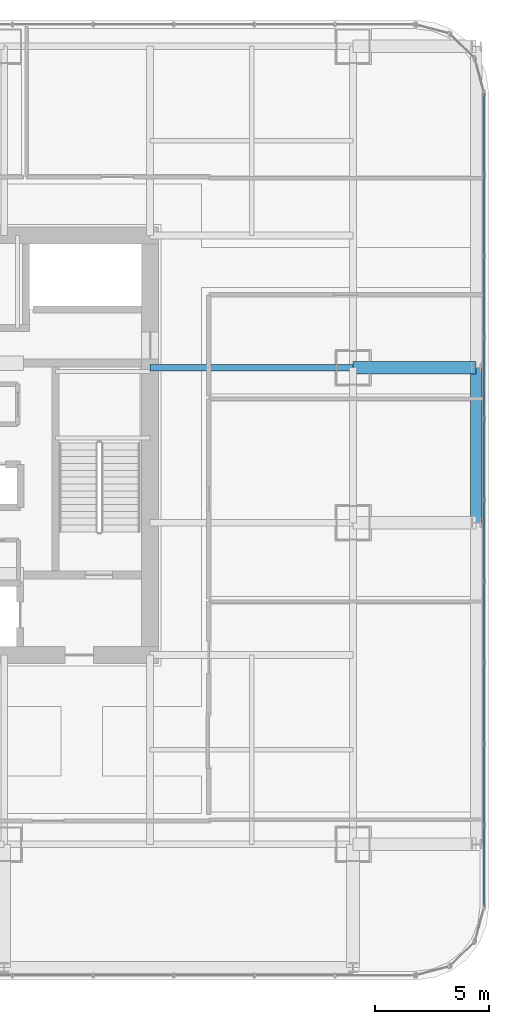
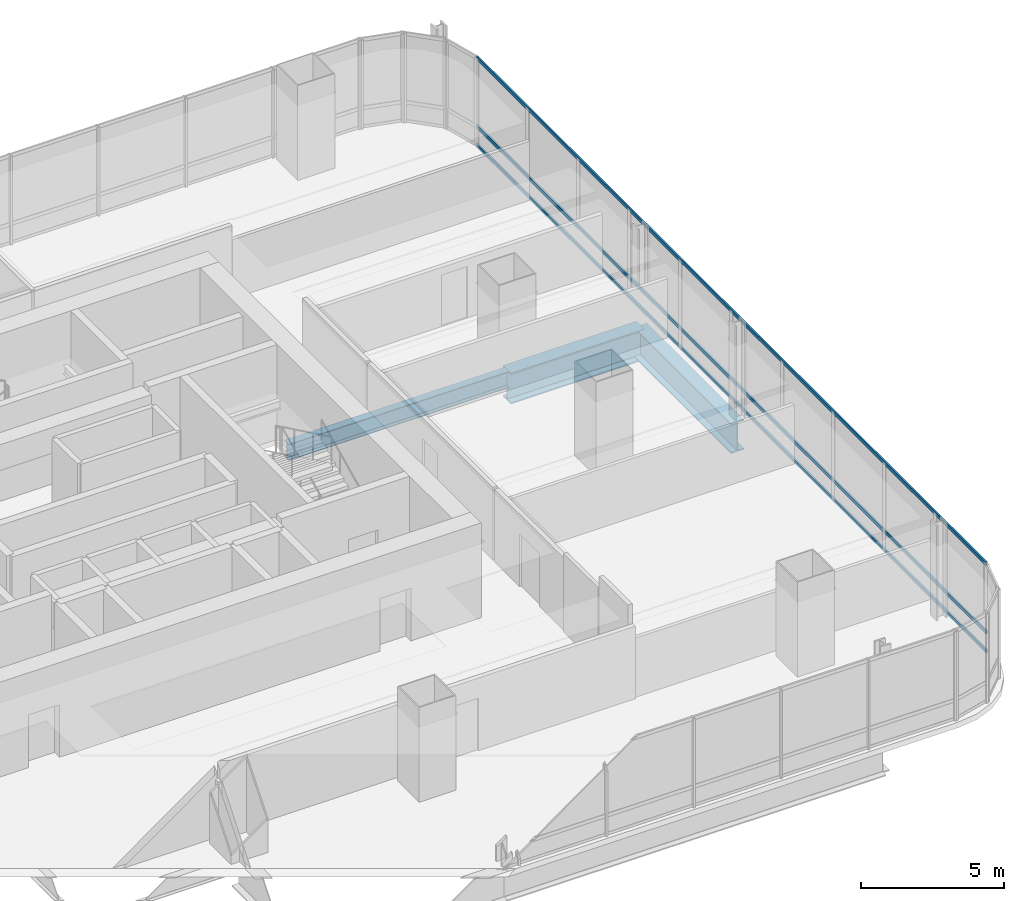
# One storey, part 16 of 35: 3 beams, 3 members, 1 element without a shape of its own.
"""IFC4 building model written with IfcOpenShell, lengths in metres."""

from ifc_helpers import new_model, si_unit, direction, frame, origin, origin_2d, place, context, subcontext, project, spatial, hollow_rectangle, i_section, extrude, material, material_profile, profile_set, type_object, element, aggregate, save


model = new_model("IFC4")

# Units and contexts
model_context = context("Model", 3, precision=1e-05, world=origin(), true_north=direction((0.0, 1.0)))
body_context = subcontext(model_context, "Body", "Model", "MODEL_VIEW")
ifc_project = project(units=[si_unit("LENGTHUNIT", "METRE"), si_unit("AREAUNIT", "SQUARE_METRE"), si_unit("VOLUMEUNIT", "CUBIC_METRE"), si_unit("PLANEANGLEUNIT", "RADIAN"), si_unit("MASSUNIT", "GRAM", prefix="KILO")], contexts=[model_context])

# Site, building, storey
site_placement = place(None, origin())
site = spatial("IfcSite", under=ifc_project, at=site_placement, CompositionType="ELEMENT")
building_placement = place(site_placement, origin())
building = spatial("IfcBuilding", under=site, at=building_placement, Name="Punatoya Terracotta Tower", CompositionType="ELEMENT")
storey_placement = place(building_placement, frame((0.0, 0.0, 64.64990234375)))
storey = spatial("IfcBuildingStorey", under=building, at=storey_placement, Name="L14", CompositionType="ELEMENT", Elevation=64.64990234375)

# Beams
ifc_material_1 = material(Name="Steel S355", Category="steel")
ifc_material_profile_1 = material_profile(ifc_material_1, i_section(OverallWidth=0.300048828125, OverallDepth=0.699951171875, WebThickness=0.01708984375, FlangeThickness=0.031982421875, FilletRadius=0.01806640625, at=origin_2d()))
ifc_profile_set_1 = profile_set([ifc_material_profile_1], Name="Steel S355")
beam_type_1 = type_object("IfcBeamType", Name="BM-PRI-700", PredefinedType="BEAM", material=ifc_profile_set_1)
beam_1_placement = place(storey_placement, frame((10.199951171875, 3.39990234375, -0.58984375), z_axis=(1.0, 0.0, 0.0), x_axis=(0.0, 1.0, 0.0)))
element("IfcBeam", 1, at=beam_1_placement, inside=storey, type_object=beam_type_1, Name="BM-L14-PR-EE", PredefinedType="BEAM", context=body_context, shape_type="SweptSolid", body=[
    extrude(i_section(OverallWidth=0.300048828125, OverallDepth=0.699951171875, WebThickness=0.01708984375, FlangeThickness=0.031982421875, FilletRadius=0.01806640625, at=origin_2d()), origin(), (0.0, 0.0, 1.0), 8.900146484375),
])
ifc_material_2 = material(Name="Steel S460", Category="steel")
ifc_material_profile_2 = material_profile(ifc_material_2, i_section(OverallWidth=0.56005859375, OverallDepth=1.320068359375, WebThickness=0.035888671875, FlangeThickness=0.054931640625, FilletRadius=0.01806640625, at=origin_2d()))
ifc_profile_set_2 = profile_set([ifc_material_profile_2], Name="Steel S460")
beam_type_2 = type_object("IfcBeamType", Name="BM-TG-BLK", PredefinedType="BEAM", material=ifc_profile_set_2)
beam_2_placement = place(storey_placement, frame((19.10009765625, 3.39990234375, -0.89990234375), z_axis=(1.0, 0.0, 0.0), x_axis=(0.0, 1.0, 0.0)))
element("IfcBeam", 2, at=beam_2_placement, inside=storey, type_object=beam_type_2, Name="BM-L14-CANT-E3", PredefinedType="BEAM", context=body_context, shape_type="SweptSolid", body=[
    extrude(i_section(OverallWidth=0.56005859375, OverallDepth=1.320068359375, WebThickness=0.035888671875, FlangeThickness=0.054931640625, FilletRadius=0.01806640625, at=origin_2d()), origin(), (0.0, 0.0, 1.0), 5.39990234375),
])
ifc_material_profile_3 = material_profile(ifc_material_2, i_section(OverallWidth=0.52001953125, OverallDepth=1.280029296875, WebThickness=0.031982421875, FlangeThickness=0.050048828125, FilletRadius=0.01806640625, at=origin_2d()))
ifc_profile_set_3 = profile_set([ifc_material_profile_3], Name="Steel S460")
beam_type_3 = type_object("IfcBeamType", Name="BM-TG-NCK", PredefinedType="BEAM", material=ifc_profile_set_3)
beam_3_placement = place(storey_placement, frame((24.5, -3.39990234375, -0.8798828125), z_axis=(0.0, 1.0, 0.0), x_axis=(-1.0, 0.0, 0.0)))
element("IfcBeam", 3, at=beam_3_placement, inside=storey, type_object=beam_type_3, Name="BM-L14-PER-E2", PredefinedType="BEAM", context=body_context, shape_type="SweptSolid", body=[
    extrude(i_section(OverallWidth=0.52001953125, OverallDepth=1.280029296875, WebThickness=0.031982421875, FlangeThickness=0.050048828125, FilletRadius=0.01806640625, at=origin_2d()), origin(), (0.0, 0.0, 1.0), 6.7998046875),
])

# Curtain wall, members
ifc_material_3 = material(Name="Aluminium 6063-T6 + Double Low-E Glass", Category="aluminium")
curtain_wall_type = type_object("IfcCurtainWallType", Name="CW-M1", PredefinedType="NOTDEFINED", material=ifc_material_3)
curtain_wall_placement = place(storey_placement, origin())
curtain_wall = element("IfcCurtainWall", 4, at=curtain_wall_placement, inside=storey, type_object=curtain_wall_type, Name="L14 Curtain Wall CW-L14-E05-1", PredefinedType="NOTDEFINED")
ifc_material_4 = material(Name="Aluminium 6063-T6", Category="aluminium")
ifc_material_profile_4 = material_profile(ifc_material_4, hollow_rectangle(XDim=0.068115234375, YDim=0.14990234375, WallThickness=0.00390625, at=origin_2d()))
ifc_profile_set_4 = profile_set([ifc_material_profile_4], Name="Aluminium 6063-T6")
member_type = type_object("IfcMemberType", Name="CW-TRN-TYP", PredefinedType="USERDEFINED", material=ifc_profile_set_4)
member_1_placement = place(storey_placement, frame((24.85009765625, -20.23681640625, 0.0400390625), z_axis=(0.0, 1.0, 0.0), x_axis=(-1.0, 0.0, 0.0)))
member_1 = element("IfcMember", 5, at=member_1_placement, type_object=member_type, Name="CW-L14-E05-1 Transom 1", ObjectType="TRANSOM", PredefinedType="USERDEFINED", context=body_context, shape_type="SweptSolid", body=[
    extrude(hollow_rectangle(XDim=0.068115234375, YDim=0.14990234375, WallThickness=0.00390625, at=origin_2d()), origin(), (0.0, 0.0, 1.0), 35.673828125),
])
member_2_placement = place(storey_placement, frame((24.85009765625, -20.23681640625, 0.85009765625), z_axis=(0.0, 1.0, 0.0), x_axis=(-1.0, 0.0, 0.0)))
member_2 = element("IfcMember", 6, at=member_2_placement, type_object=member_type, Name="CW-L14-E05-1 Transom 2", ObjectType="TRANSOM", PredefinedType="USERDEFINED", context=body_context, shape_type="SweptSolid", body=[
    extrude(hollow_rectangle(XDim=0.068115234375, YDim=0.14990234375, WallThickness=0.00390625, at=origin_2d()), origin(), (0.0, 0.0, 1.0), 35.673828125),
])
member_3_placement = place(storey_placement, frame((24.85009765625, -20.23681640625, 3.77001953125), z_axis=(0.0, 1.0, 0.0), x_axis=(-1.0, 0.0, 0.0)))
member_3 = element("IfcMember", 7, at=member_3_placement, type_object=member_type, Name="CW-L14-E05-1 Transom 3", ObjectType="TRANSOM", PredefinedType="USERDEFINED", context=body_context, shape_type="SweptSolid", body=[
    extrude(hollow_rectangle(XDim=0.068115234375, YDim=0.14990234375, WallThickness=0.00390625, at=origin_2d()), origin(), (0.0, 0.0, 1.0), 35.673828125),
])
aggregate(curtain_wall, [member_1, member_2, member_3])

save(model, "model.ifc")
